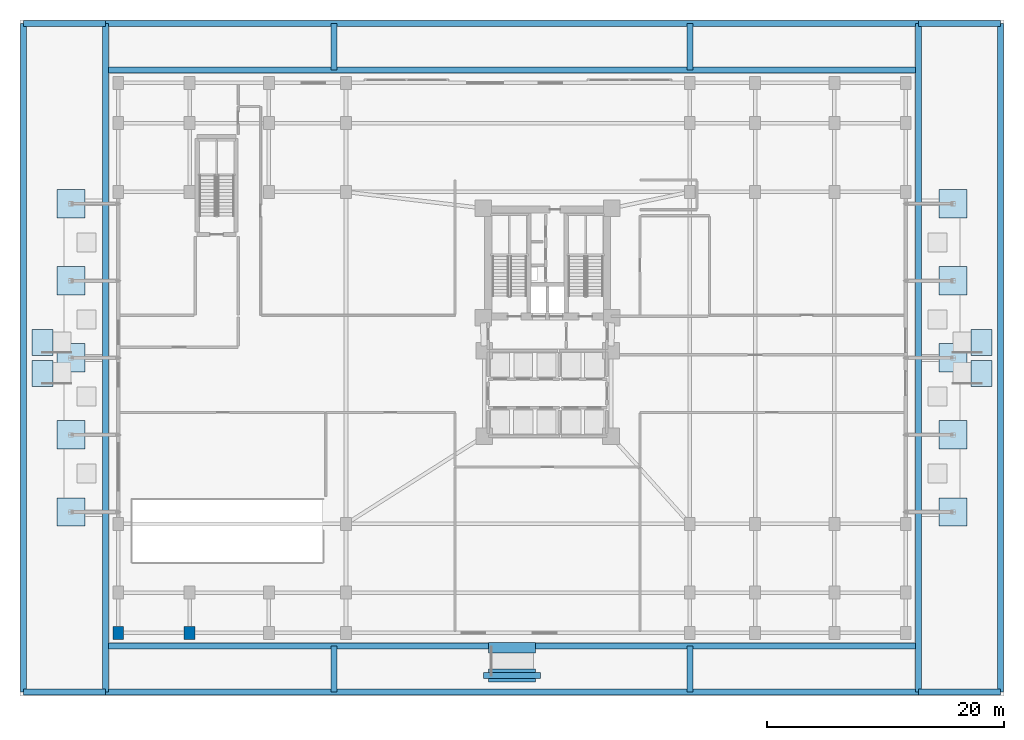
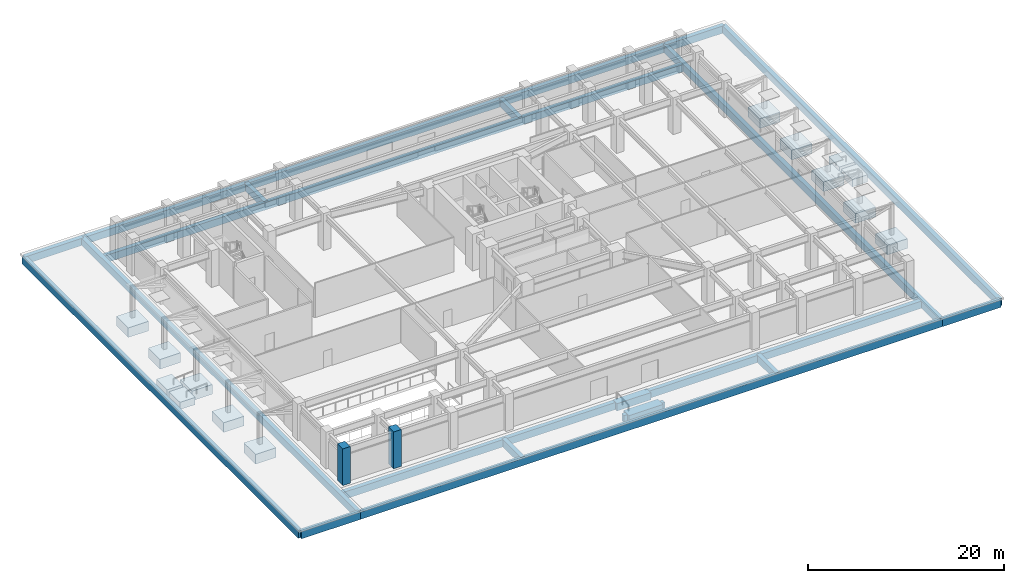
# One storey, part 1 of 23: 33 footings, 2 columns.
"""IFC4 building model written with IfcOpenShell, lengths in metres."""

from ifc_helpers import new_model, si_unit, direction, frame, origin, origin_2d, place, context, subcontext, project, spatial, rectangle, extrude, material, layer, layer_set, material_profile, profile_set, type_object, element, save


model = new_model("IFC4")

# Units and contexts
model_context = context("Model", 3, precision=1e-05, world=origin(), true_north=direction((0.0, 1.0)))
body_context = subcontext(model_context, "Body", "Model", "MODEL_VIEW")
ifc_project = project(units=[si_unit("LENGTHUNIT", "METRE"), si_unit("AREAUNIT", "SQUARE_METRE"), si_unit("VOLUMEUNIT", "CUBIC_METRE"), si_unit("PLANEANGLEUNIT", "RADIAN"), si_unit("MASSUNIT", "GRAM", prefix="KILO")], contexts=[model_context])

# Site, building, storey
site_placement = place(None, origin())
site = spatial("IfcSite", under=ifc_project, at=site_placement, CompositionType="ELEMENT")
building_placement = place(site_placement, origin())
building = spatial("IfcBuilding", under=site, at=building_placement, Name="Varnakorn Sky Granary", CompositionType="ELEMENT")
storey_placement = place(building_placement, origin())
storey = spatial("IfcBuildingStorey", under=building, at=storey_placement, Name="L00", CompositionType="ELEMENT", Elevation=0.0)

# Footings
ifc_material_1 = material(Name="Concrete C50/60", Category="concrete")
ifc_material_profile_1 = material_profile(ifc_material_1, rectangle(XDim=0.5, YDim=0.89990234375, at=origin_2d()), Name="RC 500x900")
ifc_profile_set_1 = profile_set([ifc_material_profile_1], Name="Concrete C50/60")
footing_type_1 = type_object("IfcFootingType", Name="FT-GB-500x900", PredefinedType="FOOTING_BEAM", material=ifc_profile_set_1)
for number, where, z_axis, x_axis, name in (
    (1, (-41.199951171875, -28.199951171875, -0.679931640625), (0.0, 1.0, 0.0), (-1.0, 0.0, 0.0), "Street Plaza Perimeter Grade Beam 1"),
    (2, (-34.300048828125, -28.199951171875, -0.679931640625), (0.0, 1.0, 0.0), (-1.0, 0.0, 0.0), "Street Plaza Perimeter Grade Beam 2"),
):
    element("IfcFooting", number, at=place(storey_placement, frame(where, z_axis=z_axis, x_axis=x_axis)), inside=storey, type_object=footing_type_1, Name=name, PredefinedType="FOOTING_BEAM", context=body_context, shape_type="SweptSolid", body=[
        extrude(rectangle(XDim=0.5, YDim=0.89990234375, at=origin_2d()), origin(), (0.0, 0.0, 1.0), 56.39990234375),
    ])
for number, where, z_axis, x_axis, name in (
    (3, (-41.199951171875, -28.199951171875, -0.679931640625), (1.0, 0.0, 0.0), (0.0, 1.0, 0.0), "Street Plaza Perimeter Grade Beam 3"),
    (4, (-41.199951171875, 28.199951171875, -0.679931640625), (1.0, 0.0, 0.0), (0.0, 1.0, 0.0), "Street Plaza Perimeter Grade Beam 4"),
):
    element("IfcFooting", number, at=place(storey_placement, frame(where, z_axis=z_axis, x_axis=x_axis)), inside=storey, type_object=footing_type_1, Name=name, PredefinedType="FOOTING_BEAM", context=body_context, shape_type="SweptSolid", body=[
        extrude(rectangle(XDim=0.5, YDim=0.89990234375, at=origin_2d()), origin(), (0.0, 0.0, 1.0), 6.89990234375),
    ])
for number, where, z_axis, x_axis, name in (
    (5, (34.300048828125, -28.199951171875, -0.679931640625), (0.0, 1.0, 0.0), (-1.0, 0.0, 0.0), "Street Plaza Perimeter Grade Beam 5"),
    (6, (41.199951171875, -28.199951171875, -0.679931640625), (0.0, 1.0, 0.0), (-1.0, 0.0, 0.0), "Street Plaza Perimeter Grade Beam 6"),
):
    element("IfcFooting", number, at=place(storey_placement, frame(where, z_axis=z_axis, x_axis=x_axis)), inside=storey, type_object=footing_type_1, Name=name, PredefinedType="FOOTING_BEAM", context=body_context, shape_type="SweptSolid", body=[
        extrude(rectangle(XDim=0.5, YDim=0.89990234375, at=origin_2d()), origin(), (0.0, 0.0, 1.0), 56.39990234375),
    ])
for number, where, z_axis, x_axis, name in (
    (7, (34.300048828125, -28.199951171875, -0.679931640625), (1.0, 0.0, 0.0), (0.0, 1.0, 0.0), "Street Plaza Perimeter Grade Beam 7"),
    (8, (34.300048828125, 28.199951171875, -0.679931640625), (1.0, 0.0, 0.0), (0.0, 1.0, 0.0), "Street Plaza Perimeter Grade Beam 8"),
):
    element("IfcFooting", number, at=place(storey_placement, frame(where, z_axis=z_axis, x_axis=x_axis)), inside=storey, type_object=footing_type_1, Name=name, PredefinedType="FOOTING_BEAM", context=body_context, shape_type="SweptSolid", body=[
        extrude(rectangle(XDim=0.5, YDim=0.89990234375, at=origin_2d()), origin(), (0.0, 0.0, 1.0), 6.89990234375),
    ])
for number, where, z_axis, x_axis, name in (
    (9, (-34.300048828125, -28.199951171875, -0.679931640625), (1.0, 0.0, 0.0), (0.0, 1.0, 0.0), "Street Plaza Perimeter Grade Beam 9"),
    (10, (-34.300048828125, -24.300048828125, -0.679931640625), (1.0, 0.0, 0.0), (0.0, 1.0, 0.0), "Street Plaza Perimeter Grade Beam 10"),
):
    element("IfcFooting", number, at=place(storey_placement, frame(where, z_axis=z_axis, x_axis=x_axis)), inside=storey, type_object=footing_type_1, Name=name, PredefinedType="FOOTING_BEAM", context=body_context, shape_type="SweptSolid", body=[
        extrude(rectangle(XDim=0.5, YDim=0.89990234375, at=origin_2d()), origin(), (0.0, 0.0, 1.0), 68.60009765625),
    ])
for number, where, z_axis, x_axis, name in (
    (11, (-15.0, -28.199951171875, -0.679931640625), (0.0, 1.0, 0.0), (-1.0, 0.0, 0.0), "Street Plaza Perimeter Grade Beam 11"),
    (12, (15.0, -28.199951171875, -0.679931640625), (0.0, 1.0, 0.0), (-1.0, 0.0, 0.0), "Street Plaza Perimeter Grade Beam 12"),
):
    element("IfcFooting", number, at=place(storey_placement, frame(where, z_axis=z_axis, x_axis=x_axis)), inside=storey, type_object=footing_type_1, Name=name, PredefinedType="FOOTING_BEAM", context=body_context, shape_type="SweptSolid", body=[
        extrude(rectangle(XDim=0.5, YDim=0.89990234375, at=origin_2d()), origin(), (0.0, 0.0, 1.0), 3.89990234375),
    ])
for number, where, z_axis, x_axis, name in (
    (13, (-34.300048828125, 24.300048828125, -0.679931640625), (1.0, 0.0, 0.0), (0.0, 1.0, 0.0), "Street Plaza Perimeter Grade Beam 13"),
    (14, (-34.300048828125, 28.199951171875, -0.679931640625), (1.0, 0.0, 0.0), (0.0, 1.0, 0.0), "Street Plaza Perimeter Grade Beam 14"),
):
    element("IfcFooting", number, at=place(storey_placement, frame(where, z_axis=z_axis, x_axis=x_axis)), inside=storey, type_object=footing_type_1, Name=name, PredefinedType="FOOTING_BEAM", context=body_context, shape_type="SweptSolid", body=[
        extrude(rectangle(XDim=0.5, YDim=0.89990234375, at=origin_2d()), origin(), (0.0, 0.0, 1.0), 68.60009765625),
    ])
for number, where, z_axis, x_axis, name in (
    (15, (-15.0, 24.300048828125, -0.679931640625), (0.0, 1.0, 0.0), (-1.0, 0.0, 0.0), "Street Plaza Perimeter Grade Beam 15"),
    (16, (15.0, 24.300048828125, -0.679931640625), (0.0, 1.0, 0.0), (-1.0, 0.0, 0.0), "Street Plaza Perimeter Grade Beam 16"),
):
    element("IfcFooting", number, at=place(storey_placement, frame(where, z_axis=z_axis, x_axis=x_axis)), inside=storey, type_object=footing_type_1, Name=name, PredefinedType="FOOTING_BEAM", context=body_context, shape_type="SweptSolid", body=[
        extrude(rectangle(XDim=0.5, YDim=0.89990234375, at=origin_2d()), origin(), (0.0, 0.0, 1.0), 3.89990234375),
    ])
footing_1_placement = place(storey_placement, frame((-2.39990234375, -26.800048828125, -0.679931640625), z_axis=(1.0, 0.0, 0.0), x_axis=(0.0, 1.0, 0.0)))
element("IfcFooting", 17, at=footing_1_placement, inside=storey, type_object=footing_type_1, Name="Street Plaza Perimeter Grade Beam 17", PredefinedType="FOOTING_BEAM", context=body_context, shape_type="SweptSolid", body=[
    extrude(rectangle(XDim=0.5, YDim=0.89990234375, at=origin_2d()), origin(), (0.0, 0.0, 1.0), 4.7998046875),
])
ifc_layer_1 = layer(ifc_material_1, 0.89990234375, Name="Concrete C50/60")
ifc_layer_set_1 = layer_set([ifc_layer_1], Name="Concrete C50/60")
footing_type_2 = type_object("IfcFootingType", Name="FT-PAD-1800", PredefinedType="PAD_FOOTING", material=ifc_layer_set_1)
for number, where, z_axis, x_axis, name in (
    (18, (-39.60009765625, -1.300048828125, -1.079833984375), (0.0, 0.0, 1.0), (1.0, 0.0, 0.0), "Plaza Threshold Ramp Footing 1"),
    (19, (39.60009765625, -1.300048828125, -1.079833984375), (0.0, 0.0, 1.0), (1.0, 0.0, 0.0), "Plaza Threshold Ramp Footing 2"),
    (20, (-39.60009765625, 1.300048828125, -1.079833984375), (0.0, 0.0, 1.0), (1.0, 0.0, 0.0), "Plaza Threshold Ramp Footing 3"),
    (21, (39.60009765625, 1.300048828125, -1.079833984375), (0.0, 0.0, 1.0), (1.0, 0.0, 0.0), "Plaza Threshold Ramp Footing 4"),
):
    element("IfcFooting", number, at=place(storey_placement, frame(where, z_axis=z_axis, x_axis=x_axis)), inside=storey, type_object=footing_type_2, Name=name, PredefinedType="PAD_FOOTING", context=body_context, shape_type="SweptSolid", body=[
        extrude(rectangle(XDim=1.800048828125, YDim=2.199951171875, at=origin_2d()), origin(), (0.0, 0.0, 1.0), 0.89990234375),
    ])
ifc_layer_2 = layer(ifc_material_1, 1.199951171875, Name="Concrete C50/60")
ifc_layer_set_2 = layer_set([ifc_layer_2], Name="Concrete C50/60")
footing_type_3 = type_object("IfcFootingType", Name="FT-PAD-2400", PredefinedType="PAD_FOOTING", material=ifc_layer_set_2)
for number, where, z_axis, x_axis, name in (
    (22, (-37.199951171875, -13.0, -1.4501953125), (0.0, 0.0, 1.0), (1.0, 0.0, 0.0), "Plaza Canopy Pad Footing 1"),
    (23, (-37.199951171875, -6.5, -1.4501953125), (0.0, 0.0, 1.0), (1.0, 0.0, 0.0), "Plaza Canopy Pad Footing 2"),
    (24, (-37.199951171875, 0.0, -1.4501953125), (0.0, 0.0, 1.0), (1.0, 0.0, 0.0), "Plaza Canopy Pad Footing 3"),
    (25, (-37.199951171875, 6.5, -1.4501953125), (0.0, 0.0, 1.0), (1.0, 0.0, 0.0), "Plaza Canopy Pad Footing 4"),
    (26, (-37.199951171875, 13.0, -1.4501953125), (0.0, 0.0, 1.0), (1.0, 0.0, 0.0), "Plaza Canopy Pad Footing 5"),
    (27, (37.199951171875, -13.0, -1.4501953125), (0.0, 0.0, 1.0), (1.0, 0.0, 0.0), "Plaza Canopy Pad Footing 6"),
    (28, (37.199951171875, -6.5, -1.4501953125), (0.0, 0.0, 1.0), (1.0, 0.0, 0.0), "Plaza Canopy Pad Footing 7"),
    (29, (37.199951171875, 0.0, -1.4501953125), (0.0, 0.0, 1.0), (1.0, 0.0, 0.0), "Plaza Canopy Pad Footing 8"),
    (30, (37.199951171875, 6.5, -1.4501953125), (0.0, 0.0, 1.0), (1.0, 0.0, 0.0), "Plaza Canopy Pad Footing 9"),
    (31, (37.199951171875, 13.0, -1.4501953125), (0.0, 0.0, 1.0), (1.0, 0.0, 0.0), "Plaza Canopy Pad Footing 10"),
):
    element("IfcFooting", number, at=place(storey_placement, frame(where, z_axis=z_axis, x_axis=x_axis)), inside=storey, type_object=footing_type_3, Name=name, PredefinedType="PAD_FOOTING", context=body_context, shape_type="SweptSolid", body=[
        extrude(rectangle(XDim=2.39990234375, YDim=2.39990234375, at=origin_2d()), origin(), (0.0, 0.0, 1.0), 1.199951171875),
    ])
footing_2_placement = place(storey_placement, frame((0.0, -26.800048828125, -1.079833984375), z_axis=(0.0, 0.0, 1.0), x_axis=(1.0, 0.0, 0.0)))
element("IfcFooting", 32, at=footing_2_placement, inside=storey, type_object=footing_type_3, Name="Plaza Threshold Ramp Footing 5", PredefinedType="PAD_FOOTING", context=body_context, shape_type="SweptSolid", body=[
    extrude(rectangle(XDim=4.0, YDim=1.10009765625, at=origin_2d()), origin(), (0.0, 0.0, 1.0), 0.89990234375),
])
footing_3_placement = place(storey_placement, frame((0.0, -24.449951171875, -1.099853515625), z_axis=(0.0, 0.0, 1.0), x_axis=(1.0, 0.0, 0.0)))
element("IfcFooting", 33, at=footing_3_placement, inside=storey, type_object=footing_type_3, Name="Plaza Threshold Ramp Footing 6", PredefinedType="PAD_FOOTING", context=body_context, shape_type="SweptSolid", body=[
    extrude(rectangle(XDim=4.0, YDim=0.85009765625, at=origin_2d()), origin(), (0.0, 0.0, 1.0), 0.89990234375),
])

# Columns
ifc_material_2 = material(Name="Concrete C60/75", Category="concrete")
ifc_material_profile_2 = material_profile(ifc_material_2, rectangle(XDim=0.89990234375, YDim=1.10009765625, at=origin_2d()), Name="RC 900x1100")
ifc_profile_set_2 = profile_set([ifc_material_profile_2], Name="Concrete C60/75")
column_type = type_object("IfcColumnType", Name="COL-POD-1100", PredefinedType="COLUMN", material=ifc_profile_set_2)
for number, where, z_axis, x_axis, name in (
    (34, (-33.199951171875, -23.199951171875, 0.0), (0.0, 0.0, 1.0), (1.0, 0.0, 0.0), "Podium Column P11 L00"),
    (35, (-27.199951171875, -23.199951171875, 0.0), (0.0, 0.0, 1.0), (1.0, 0.0, 0.0), "Podium Column P21 L00"),
):
    element("IfcColumn", number, at=place(storey_placement, frame(where, z_axis=z_axis, x_axis=x_axis)), inside=storey, type_object=column_type, Name=name, PredefinedType="COLUMN", context=body_context, shape_type="SweptSolid", body=[
        extrude(rectangle(XDim=0.89990234375, YDim=1.10009765625, at=origin_2d()), origin(), (0.0, 0.0, 1.0), 4.574951171875),
    ])

save(model, "model.ifc")
